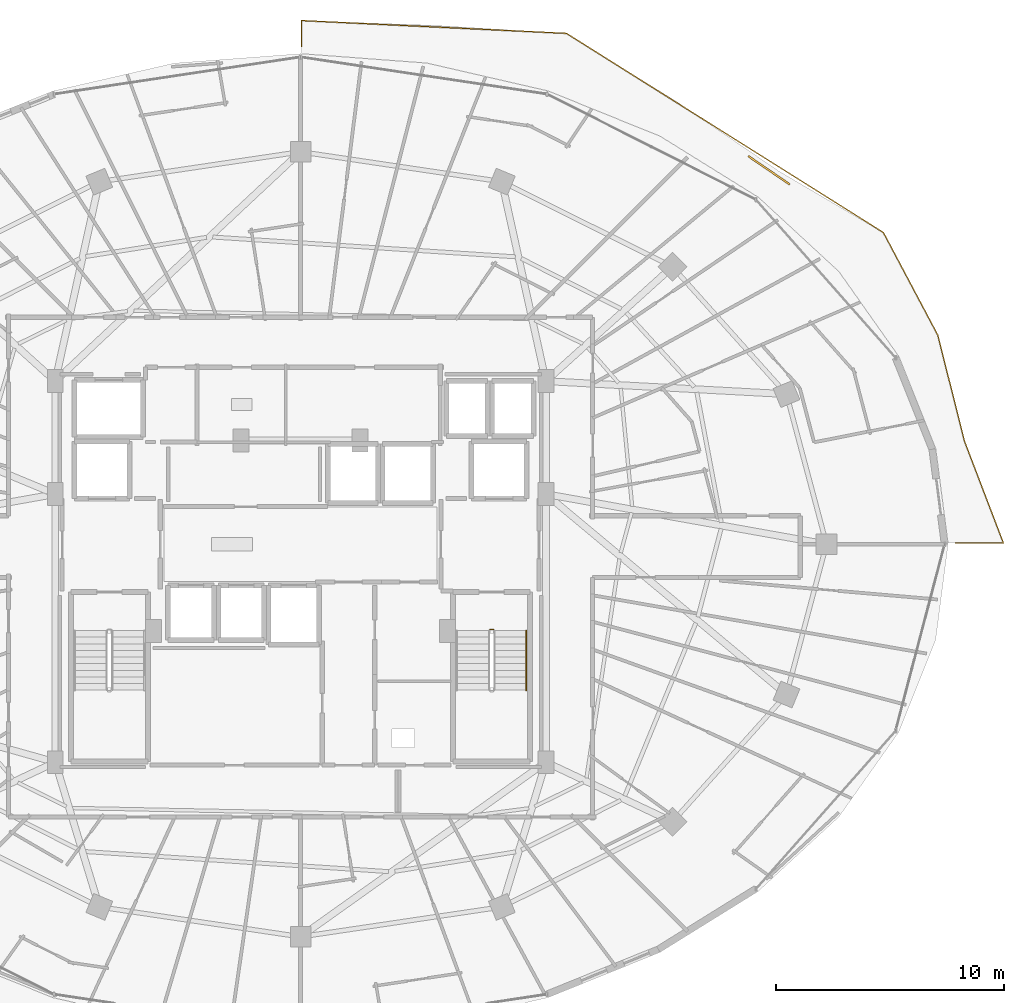
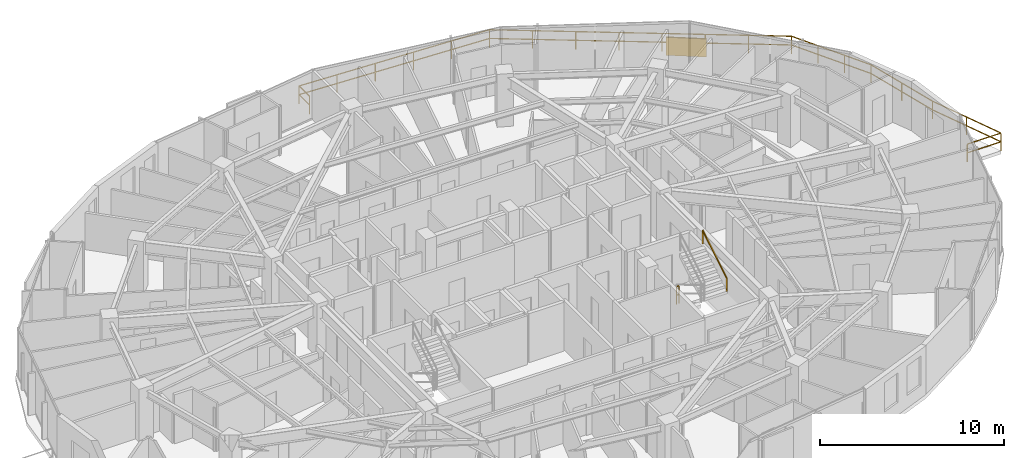
# One storey, part 33 of 34: 4 railings, 1 shading device.
"""IFC4 building model written with IfcOpenShell, lengths in metres."""

from ifc_helpers import new_model, si_unit, direction, frame, origin, origin_2d, place, context, subcontext, project, spatial, rectangle, extrude, material, type_object, element, save


model = new_model("IFC4")

# Units and contexts
model_context = context("Model", 3, precision=1e-05, world=origin(), true_north=direction((0.0, 1.0)))
body_context = subcontext(model_context, "Body", "Model", "MODEL_VIEW")
ifc_project = project(units=[si_unit("LENGTHUNIT", "METRE"), si_unit("AREAUNIT", "SQUARE_METRE"), si_unit("VOLUMEUNIT", "CUBIC_METRE"), si_unit("PLANEANGLEUNIT", "RADIAN"), si_unit("MASSUNIT", "GRAM", prefix="KILO")], contexts=[model_context])

# Site, building, storey
site_placement = place(None, origin())
site = spatial("IfcSite", under=ifc_project, at=site_placement, CompositionType="ELEMENT")
building_placement = place(site_placement, origin())
building = spatial("IfcBuilding", under=site, at=building_placement, Name="Vorneva Point Tower", CompositionType="ELEMENT")
storey_placement = place(building_placement, frame((0.0, 0.0, 182.60009765625)))
storey = spatial("IfcBuildingStorey", under=building, at=storey_placement, Name="L49", CompositionType="ELEMENT", Elevation=182.60009765625)

# Railings
ifc_material_1 = material(Name="Pale anodised aluminium", Category="aluminium")
railing_type_1 = type_object("IfcRailingType", Name="RL-BAL-1200", PredefinedType="BALUSTRADE", material=ifc_material_1)
railing_1_placement = place(storey_placement, frame((38.050048828125, 48.953125, 0.0)))
element("IfcRailing", 1, at=railing_1_placement, inside=storey, type_object=railing_type_1, Name="L49 Wave Balcony Balustrade NE.1", PredefinedType="BALUSTRADE", context=body_context, shape_type="SweptSolid", body=[
    extrude(rectangle(XDim=0.048095703125, YDim=0.048095703125, at=origin_2d()), frame((0.0, 0.0, 1.17578125), z_axis=(0.0, -1.0, 0.0), x_axis=(1.0, 0.0, 0.0)), (0.0, 0.0, 1.0), 1.135986328125),
    extrude(rectangle(XDim=0.048095703125, YDim=0.048095703125, at=origin_2d()), frame((0.0, 0.0, 0.60009765625), z_axis=(0.0, -1.0, 0.0), x_axis=(1.0, 0.0, 0.0)), (0.0, 0.0, 1.0), 1.135986328125),
    extrude(rectangle(XDim=0.0419921875, YDim=0.0419921875, at=origin_2d()), origin(), (0.0, 0.0, 1.0), 1.15185546875),
    extrude(rectangle(XDim=0.0419921875, YDim=0.0419921875, at=origin_2d()), frame((0.0, -1.135986328125, 0.0)), (0.0, 0.0, 1.0), 1.15185546875),
])
railing_2_placement = place(storey_placement, frame((66.6962890625, 26.050048828125, 0.0)))
element("IfcRailing", 2, at=railing_2_placement, inside=storey, type_object=railing_type_1, Name="L49 Wave Balcony Balustrade NE.2", PredefinedType="BALUSTRADE", context=body_context, shape_type="SweptSolid", body=[
    extrude(rectangle(XDim=0.048095703125, YDim=0.048095703125, at=origin_2d()), frame((0.0, 0.0, 1.17578125), z_axis=(1.0, 0.0, 0.0), x_axis=(0.0, 1.0, 0.0)), (0.0, 0.0, 1.0), 2.109619140625),
    extrude(rectangle(XDim=0.048095703125, YDim=0.048095703125, at=origin_2d()), frame((0.0, 0.0, 0.60009765625), z_axis=(1.0, 0.0, 0.0), x_axis=(0.0, 1.0, 0.0)), (0.0, 0.0, 1.0), 2.109619140625),
    extrude(rectangle(XDim=0.048095703125, YDim=0.048095703125, at=origin_2d()), frame((2.109619140625, 0.0, 1.17578125), z_axis=(-0.357052473126, 0.934084327796, 0.0), x_axis=(-0.934084327796, -0.357052473126, 0.0)), (0.0, 0.0, 1.0), 4.791259765625),
    extrude(rectangle(XDim=0.048095703125, YDim=0.048095703125, at=origin_2d()), frame((2.109619140625, 0.0, 0.60009765625), z_axis=(-0.357052473126, 0.934084327796, 0.0), x_axis=(-0.934084327796, -0.357052473126, 0.0)), (0.0, 0.0, 1.0), 4.791259765625),
    extrude(rectangle(XDim=0.048095703125, YDim=0.048095703125, at=origin_2d()), frame((0.39892578125, 4.475341796875, 1.17578125), z_axis=(-0.243544631773, 0.969889690808, 0.0), x_axis=(-0.969889690808, -0.243544631773, 0.0)), (0.0, 0.0, 1.0), 4.78173828125),
    extrude(rectangle(XDim=0.048095703125, YDim=0.048095703125, at=origin_2d()), frame((0.39892578125, 4.475341796875, 0.60009765625), z_axis=(-0.243544631773, 0.969889690808, 0.0), x_axis=(-0.969889690808, -0.243544631773, 0.0)), (0.0, 0.0, 1.0), 4.78173828125),
    extrude(rectangle(XDim=0.048095703125, YDim=0.048095703125, at=origin_2d()), frame((-0.765625, 9.113037109375, 1.17578125), z_axis=(-0.468504330628, 0.883461200157, 0.0), x_axis=(-0.883461200157, -0.468504330628, 0.0)), (0.0, 0.0, 1.0), 5.0927734375),
    extrude(rectangle(XDim=0.048095703125, YDim=0.048095703125, at=origin_2d()), frame((-0.765625, 9.113037109375, 0.60009765625), z_axis=(-0.468504330628, 0.883461200157, 0.0), x_axis=(-0.883461200157, -0.468504330628, 0.0)), (0.0, 0.0, 1.0), 5.0927734375),
    extrude(rectangle(XDim=0.048095703125, YDim=0.048095703125, at=origin_2d()), frame((-3.151611328125, 13.6123046875, 1.17578125), z_axis=(-0.846684820607, 0.532094742084, 0.0), x_axis=(-0.532094742084, -0.846684820607, 0.0)), (0.0, 0.0, 1.0), 16.406005859375),
    extrude(rectangle(XDim=0.048095703125, YDim=0.048095703125, at=origin_2d()), frame((-3.151611328125, 13.6123046875, 0.60009765625), z_axis=(-0.846684820607, 0.532094742084, 0.0), x_axis=(-0.532094742084, -0.846684820607, 0.0)), (0.0, 0.0, 1.0), 16.406005859375),
    extrude(rectangle(XDim=0.048095703125, YDim=0.048095703125, at=origin_2d()), frame((-17.042236328125, 22.341796875, 1.17578125), z_axis=(-0.998832246772, 0.048312967291, 0.0), x_axis=(-0.048312967291, -0.998832246772, 0.0)), (0.0, 0.0, 1.0), 11.61767578125),
    extrude(rectangle(XDim=0.048095703125, YDim=0.048095703125, at=origin_2d()), frame((-17.042236328125, 22.341796875, 0.60009765625), z_axis=(-0.998832246772, 0.048312967291, 0.0), x_axis=(-0.048312967291, -0.998832246772, 0.0)), (0.0, 0.0, 1.0), 11.61767578125),
    extrude(rectangle(XDim=0.0419921875, YDim=0.0419921875, at=origin_2d()), origin(), (0.0, 0.0, 1.0), 1.15185546875),
    extrude(rectangle(XDim=0.0419921875, YDim=0.0419921875, at=origin_2d()), frame((2.109619140625, 0.0, 0.0)), (0.0, 0.0, 1.0), 1.15185546875),
    extrude(rectangle(XDim=0.0419921875, YDim=0.0419921875, at=origin_2d()), frame((1.25439453125, 2.23779296875, 0.0)), (0.0, 0.0, 1.0), 1.15185546875),
    extrude(rectangle(XDim=0.0419921875, YDim=0.0419921875, at=origin_2d()), frame((0.39892578125, 4.475341796875, 0.0)), (0.0, 0.0, 1.0), 1.15185546875),
    extrude(rectangle(XDim=0.0419921875, YDim=0.0419921875, at=origin_2d()), frame((-0.183349609375, 6.794189453125, 0.0)), (0.0, 0.0, 1.0), 1.15185546875),
    extrude(rectangle(XDim=0.0419921875, YDim=0.0419921875, at=origin_2d()), frame((-0.765625, 9.113037109375, 0.0)), (0.0, 0.0, 1.0), 1.15185546875),
    extrude(rectangle(XDim=0.0419921875, YDim=0.0419921875, at=origin_2d()), frame((-1.56103515625, 10.61279296875, 0.0)), (0.0, 0.0, 1.0), 1.15185546875),
    extrude(rectangle(XDim=0.0419921875, YDim=0.0419921875, at=origin_2d()), frame((-2.356201171875, 12.112548828125, 0.0)), (0.0, 0.0, 1.0), 1.15185546875),
    extrude(rectangle(XDim=0.0419921875, YDim=0.0419921875, at=origin_2d()), frame((-3.151611328125, 13.6123046875, 0.0)), (0.0, 0.0, 1.0), 1.15185546875),
    extrude(rectangle(XDim=0.0419921875, YDim=0.0419921875, at=origin_2d()), frame((-5.135986328125, 14.859375, 0.0)), (0.0, 0.0, 1.0), 1.15185546875),
    extrude(rectangle(XDim=0.0419921875, YDim=0.0419921875, at=origin_2d()), frame((-7.120361328125, 16.1064453125, 0.0)), (0.0, 0.0, 1.0), 1.15185546875),
    extrude(rectangle(XDim=0.0419921875, YDim=0.0419921875, at=origin_2d()), frame((-9.104736328125, 17.353515625, 0.0)), (0.0, 0.0, 1.0), 1.15185546875),
    extrude(rectangle(XDim=0.0419921875, YDim=0.0419921875, at=origin_2d()), frame((-11.089111328125, 18.6005859375, 0.0)), (0.0, 0.0, 1.0), 1.15185546875),
    extrude(rectangle(XDim=0.0419921875, YDim=0.0419921875, at=origin_2d()), frame((-13.073486328125, 19.84765625, 0.0)), (0.0, 0.0, 1.0), 1.15185546875),
    extrude(rectangle(XDim=0.0419921875, YDim=0.0419921875, at=origin_2d()), frame((-15.057861328125, 21.0947265625, 0.0)), (0.0, 0.0, 1.0), 1.15185546875),
    extrude(rectangle(XDim=0.0419921875, YDim=0.0419921875, at=origin_2d()), frame((-17.042236328125, 22.341796875, 0.0)), (0.0, 0.0, 1.0), 1.15185546875),
    extrude(rectangle(XDim=0.0419921875, YDim=0.0419921875, at=origin_2d()), frame((-19.363037109375, 22.4541015625, 0.0)), (0.0, 0.0, 1.0), 1.15185546875),
    extrude(rectangle(XDim=0.0419921875, YDim=0.0419921875, at=origin_2d()), frame((-21.683837890625, 22.56640625, 0.0)), (0.0, 0.0, 1.0), 1.15185546875),
    extrude(rectangle(XDim=0.0419921875, YDim=0.0419921875, at=origin_2d()), frame((-24.004638671875, 22.678466796875, 0.0)), (0.0, 0.0, 1.0), 1.15185546875),
    extrude(rectangle(XDim=0.0419921875, YDim=0.0419921875, at=origin_2d()), frame((-26.325439453125, 22.790771484375, 0.0)), (0.0, 0.0, 1.0), 1.15185546875),
    extrude(rectangle(XDim=0.0419921875, YDim=0.0419921875, at=origin_2d()), frame((-28.646240234375, 22.903076171875, 0.0)), (0.0, 0.0, 1.0), 1.15185546875),
])
ifc_material_2 = material(Name="Brushed stainless steel S304", Category="steel")
railing_type_2 = type_object("IfcRailingType", Name="RL-HND-920", PredefinedType="HANDRAIL", material=ifc_material_2)
railing_3_placement = place(storey_placement, frame((47.89990234375, 19.610107421875, 1.9248046875)))
element("IfcRailing", 3, at=railing_3_placement, inside=storey, type_object=railing_type_2, Name="L49 ST2 stair handrail 2", PredefinedType="HANDRAIL", context=body_context, shape_type="SweptSolid", body=[
    extrude(rectangle(XDim=0.048095703125, YDim=0.048095703125, at=origin_2d()), frame((0.0, 0.0, 0.8759765625), z_axis=(0.0, 0.856147343639, 0.516731773728), x_axis=(-1.0, 0.0, 0.0)), (0.0, 0.0, 1.0), 3.04833984375),
    extrude(rectangle(XDim=0.0419921875, YDim=0.0419921875, at=origin_2d()), origin(), (0.0, 0.0, 1.0), 0.851806640625),
    extrude(rectangle(XDim=0.0419921875, YDim=0.0419921875, at=origin_2d()), frame((0.0, 2.60986328125, 1.5751953125)), (0.0, 0.0, 1.0), 0.851806640625),
])
railing_type_3 = type_object("IfcRailingType", Name="RL-STG-1100", PredefinedType="GUARDRAIL", material=ifc_material_2)
railing_4_placement = place(storey_placement, frame((46.300048828125, 22.27001953125, 0.0)))
element("IfcRailing", 4, at=railing_4_placement, inside=storey, type_object=railing_type_3, Name="L49 ST2 stair guard 4", PredefinedType="GUARDRAIL", context=body_context, shape_type="SweptSolid", body=[
    extrude(rectangle(XDim=0.048095703125, YDim=0.048095703125, at=origin_2d()), frame((0.0, 0.0, 1.17578125), z_axis=(1.0, 0.0, 0.0), x_axis=(0.0, 1.0, 0.0)), (0.0, 0.0, 1.0), 0.14990234375),
    extrude(rectangle(XDim=0.048095703125, YDim=0.048095703125, at=origin_2d()), frame((0.0, 0.0, 0.60009765625), z_axis=(1.0, 0.0, 0.0), x_axis=(0.0, 1.0, 0.0)), (0.0, 0.0, 1.0), 0.14990234375),
    extrude(rectangle(XDim=0.0419921875, YDim=0.0419921875, at=origin_2d()), origin(), (0.0, 0.0, 1.0), 1.15185546875),
    extrude(rectangle(XDim=0.0419921875, YDim=0.0419921875, at=origin_2d()), frame((0.14990234375, 0.0, 0.0)), (0.0, 0.0, 1.0), 1.15185546875),
])

# Shading device
shading_device_type = type_object("IfcShadingDeviceType", Name="SHD-JAL-1200", PredefinedType="JALOUSIE", material=ifc_material_1)
shading_device_placement = place(storey_placement, frame((58.530517578125, 42.3916015625, -0.02001953125), z_axis=(0.0, 0.0, 1.0), x_axis=(-0.826098294496, 0.563526048938, 0.0)))
element("IfcShadingDevice", 5, at=shading_device_placement, inside=storey, type_object=shading_device_type, Name="L49 Balcony Vertical-Greenery Planter Screen NE.2", PredefinedType="JALOUSIE", context=body_context, shape_type="SweptSolid", body=[
    extrude(rectangle(XDim=2.199951171875, YDim=0.080078125, at=origin_2d()), origin(), (0.0, 0.0, 1.0), 1.199951171875),
])

save(model, "model.ifc")
